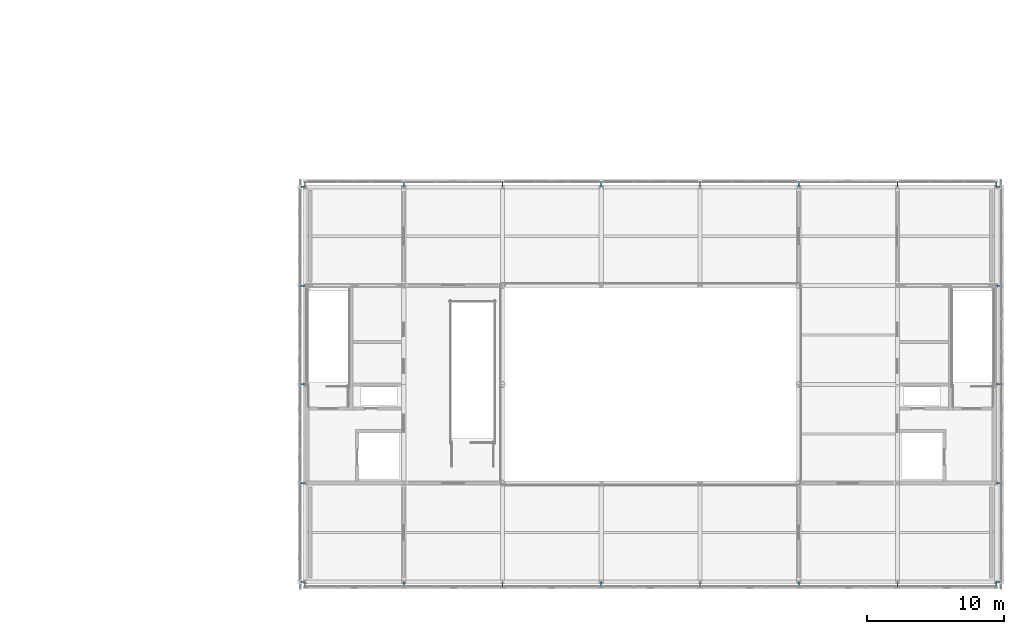
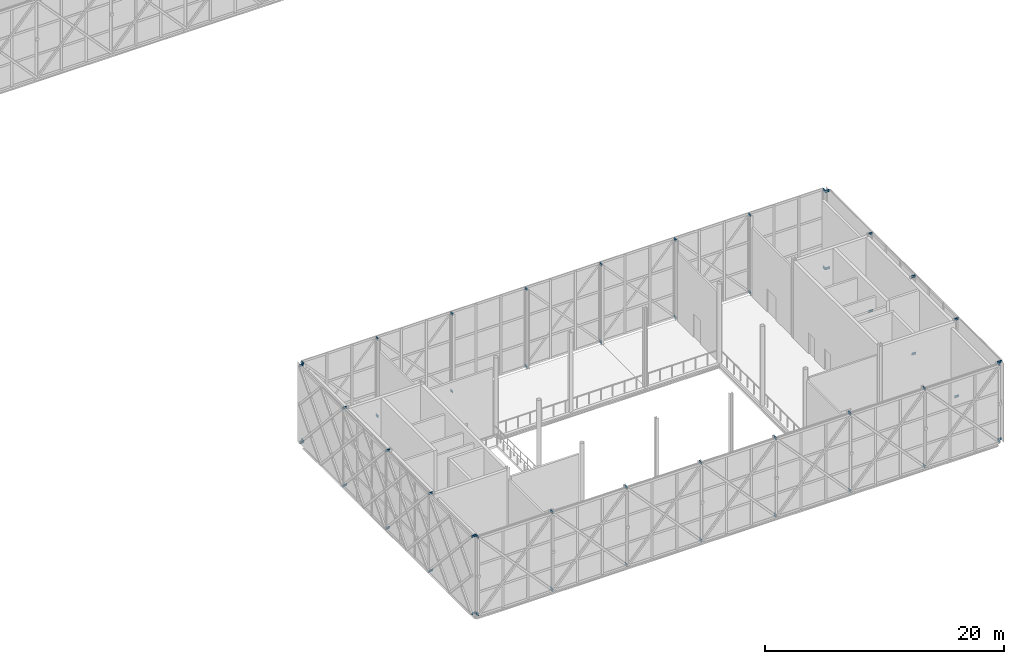
# One storey, part 50 of 76: 52 beams.
"""IFC4 building model written with IfcOpenShell, lengths in metres."""

from ifc_helpers import new_model, si_unit, direction, frame, origin, origin_2d, place, context, subcontext, project, spatial, i_section, extrude, material, material_profile, profile_set, type_object, element, save


model = new_model("IFC4")

# Units and contexts
model_context = context("Model", 3, precision=1e-05, world=origin(), true_north=direction((0.0, 1.0)))
body_context = subcontext(model_context, "Body", "Model", "MODEL_VIEW")
ifc_project = project(units=[si_unit("LENGTHUNIT", "METRE"), si_unit("AREAUNIT", "SQUARE_METRE"), si_unit("VOLUMEUNIT", "CUBIC_METRE"), si_unit("PLANEANGLEUNIT", "RADIAN"), si_unit("MASSUNIT", "GRAM", prefix="KILO")], contexts=[model_context])

# Site, building, storey
site_placement = place(None, origin())
site = spatial("IfcSite", under=ifc_project, at=site_placement, CompositionType="ELEMENT")
building_placement = place(site_placement, origin())
building = spatial("IfcBuilding", under=site, at=building_placement, Name="Zlatovets Crest Museum", CompositionType="ELEMENT")
storey_placement = place(building_placement, frame((0.0, 0.0, 17.10009765625)))
storey = spatial("IfcBuildingStorey", under=building, at=storey_placement, Name="L04", CompositionType="ELEMENT", Elevation=17.10009765625)

# Beams
ifc_material = material(Name="Structural steel S355J2", Category="steel")
ifc_material_profile = material_profile(ifc_material, i_section(OverallWidth=0.10009765625, OverallDepth=0.199951171875, WebThickness=0.005615234375, FlangeThickness=0.008544921875, FilletRadius=0.011962890625, at=origin_2d()), Name="IPE 200")
ifc_profile_set = profile_set([ifc_material_profile], Name="Structural steel S355J2")
beam_type = type_object("IfcBeamType", Name="Beam_PR-02", PredefinedType="LINTEL", material=ifc_profile_set)
for number, where, z_axis, x_axis, name in (
    (1, (57.60009765625, 0.0, 0.099853515625), (0.0, -1.0, 0.0), (1.0, 0.0, 0.0), "Lattice Structural Outrigger Tie"),
    (2, (57.60009765625, 0.0, 8.0), (0.0, -1.0, 0.0), (1.0, 0.0, 0.0), "Lattice Structural Outrigger Tie"),
    (3, (64.800048828125, 0.0, 0.099853515625), (0.0, -1.0, 0.0), (1.0, 0.0, 0.0), "Lattice Structural Outrigger Tie"),
    (4, (64.800048828125, 0.0, 8.0), (0.0, -1.0, 0.0), (1.0, 0.0, 0.0), "Lattice Structural Outrigger Tie"),
    (5, (72.0, 0.0, 0.099853515625), (0.0, -1.0, 0.0), (1.0, 0.0, 0.0), "Lattice Structural Outrigger Tie"),
    (6, (72.0, 0.0, 8.0), (0.0, -1.0, 0.0), (1.0, 0.0, 0.0), "Lattice Structural Outrigger Tie"),
    (7, (79.199951171875, 0.0, 0.099853515625), (0.0, -1.0, 0.0), (1.0, 0.0, 0.0), "Lattice Structural Outrigger Tie"),
    (8, (79.199951171875, 0.0, 8.0), (0.0, -1.0, 0.0), (1.0, 0.0, 0.0), "Lattice Structural Outrigger Tie"),
    (9, (86.39990234375, 0.0, 0.099853515625), (0.0, -1.0, 0.0), (1.0, 0.0, 0.0), "Lattice Structural Outrigger Tie"),
    (10, (86.39990234375, 0.0, 8.0), (0.0, -1.0, 0.0), (1.0, 0.0, 0.0), "Lattice Structural Outrigger Tie"),
    (11, (93.60009765625, 0.0, 0.099853515625), (0.0, -1.0, 0.0), (1.0, 0.0, 0.0), "Lattice Structural Outrigger Tie"),
    (12, (93.60009765625, 0.0, 8.0), (0.0, -1.0, 0.0), (1.0, 0.0, 0.0), "Lattice Structural Outrigger Tie"),
    (13, (100.800048828125, 0.0, 0.099853515625), (0.0, -1.0, 0.0), (1.0, 0.0, 0.0), "Lattice Structural Outrigger Tie"),
    (14, (100.800048828125, 0.0, 8.0), (0.0, -1.0, 0.0), (1.0, 0.0, 0.0), "Lattice Structural Outrigger Tie"),
    (15, (108.0, 0.0, 0.099853515625), (0.0, -1.0, 0.0), (1.0, 0.0, 0.0), "Lattice Structural Outrigger Tie"),
    (16, (108.0, 0.0, 8.0), (0.0, -1.0, 0.0), (1.0, 0.0, 0.0), "Lattice Structural Outrigger Tie"),
    (17, (108.0, 0.0, 0.099853515625), (1.0, 0.0, 0.0), (0.0, 1.0, 0.0), "Lattice Structural Outrigger Tie"),
    (18, (108.0, 0.0, 8.0), (1.0, 0.0, 0.0), (0.0, 1.0, 0.0), "Lattice Structural Outrigger Tie"),
    (19, (108.0, 7.199951171875, 0.099853515625), (1.0, 0.0, 0.0), (0.0, 1.0, 0.0), "Lattice Structural Outrigger Tie"),
    (20, (108.0, 7.199951171875, 8.0), (1.0, 0.0, 0.0), (0.0, 1.0, 0.0), "Lattice Structural Outrigger Tie"),
    (21, (108.0, 14.39990234375, 0.099853515625), (1.0, 0.0, 0.0), (0.0, 1.0, 0.0), "Lattice Structural Outrigger Tie"),
    (22, (108.0, 14.39990234375, 8.0), (1.0, 0.0, 0.0), (0.0, 1.0, 0.0), "Lattice Structural Outrigger Tie"),
    (23, (108.0, 21.60009765625, 0.099853515625), (1.0, 0.0, 0.0), (0.0, 1.0, 0.0), "Lattice Structural Outrigger Tie"),
    (24, (108.0, 21.60009765625, 8.0), (1.0, 0.0, 0.0), (0.0, 1.0, 0.0), "Lattice Structural Outrigger Tie"),
    (25, (108.0, 28.800048828125, 0.099853515625), (1.0, 0.0, 0.0), (0.0, 1.0, 0.0), "Lattice Structural Outrigger Tie"),
    (26, (108.0, 28.800048828125, 8.0), (1.0, 0.0, 0.0), (0.0, 1.0, 0.0), "Lattice Structural Outrigger Tie"),
    (27, (108.0, 28.800048828125, 0.099853515625), (0.0, 1.0, 0.0), (-1.0, 0.0, 0.0), "Lattice Structural Outrigger Tie"),
    (28, (108.0, 28.800048828125, 8.0), (0.0, 1.0, 0.0), (-1.0, 0.0, 0.0), "Lattice Structural Outrigger Tie"),
    (29, (100.800048828125, 28.800048828125, 0.099853515625), (0.0, 1.0, 0.0), (-1.0, 0.0, 0.0), "Lattice Structural Outrigger Tie"),
    (30, (100.800048828125, 28.800048828125, 8.0), (0.0, 1.0, 0.0), (-1.0, 0.0, 0.0), "Lattice Structural Outrigger Tie"),
    (31, (93.60009765625, 28.800048828125, 0.099853515625), (0.0, 1.0, 0.0), (-1.0, 0.0, 0.0), "Lattice Structural Outrigger Tie"),
    (32, (93.60009765625, 28.800048828125, 8.0), (0.0, 1.0, 0.0), (-1.0, 0.0, 0.0), "Lattice Structural Outrigger Tie"),
    (33, (86.39990234375, 28.800048828125, 0.099853515625), (0.0, 1.0, 0.0), (-1.0, 0.0, 0.0), "Lattice Structural Outrigger Tie"),
    (34, (86.39990234375, 28.800048828125, 8.0), (0.0, 1.0, 0.0), (-1.0, 0.0, 0.0), "Lattice Structural Outrigger Tie"),
    (35, (79.199951171875, 28.800048828125, 0.099853515625), (0.0, 1.0, 0.0), (-1.0, 0.0, 0.0), "Lattice Structural Outrigger Tie"),
    (36, (79.199951171875, 28.800048828125, 8.0), (0.0, 1.0, 0.0), (-1.0, 0.0, 0.0), "Lattice Structural Outrigger Tie"),
    (37, (72.0, 28.800048828125, 0.099853515625), (0.0, 1.0, 0.0), (-1.0, 0.0, 0.0), "Lattice Structural Outrigger Tie"),
    (38, (72.0, 28.800048828125, 8.0), (0.0, 1.0, 0.0), (-1.0, 0.0, 0.0), "Lattice Structural Outrigger Tie"),
    (39, (64.800048828125, 28.800048828125, 0.099853515625), (0.0, 1.0, 0.0), (-1.0, 0.0, 0.0), "Lattice Structural Outrigger Tie"),
    (40, (64.800048828125, 28.800048828125, 8.0), (0.0, 1.0, 0.0), (-1.0, 0.0, 0.0), "Lattice Structural Outrigger Tie"),
    (41, (57.60009765625, 28.800048828125, 0.099853515625), (0.0, 1.0, 0.0), (-1.0, 0.0, 0.0), "Lattice Structural Outrigger Tie"),
    (42, (57.60009765625, 28.800048828125, 8.0), (0.0, 1.0, 0.0), (-1.0, 0.0, 0.0), "Lattice Structural Outrigger Tie"),
):
    element("IfcBeam", number, at=place(storey_placement, frame(where, z_axis=z_axis, x_axis=x_axis)), inside=storey, type_object=beam_type, Name=name, PredefinedType="LINTEL", context=body_context, shape_type="SweptSolid", body=[
        extrude(i_section(OverallWidth=0.10009765625, OverallDepth=0.199951171875, WebThickness=0.005615234375, FlangeThickness=0.008544921875, FilletRadius=0.011962890625, at=origin_2d()), origin(), (0.0, 0.0, 1.0), 0.419921875),
    ])
for number, where, z_axis, x_axis, name in (
    (43, (57.60009765625, 28.800048828125, 0.099853515625), (-1.0, 0.0, 0.0), (0.0, -1.0, 0.0), "Lattice Structural Outrigger Tie"),
    (44, (57.60009765625, 28.800048828125, 8.0), (-1.0, 0.0, 0.0), (0.0, -1.0, 0.0), "Lattice Structural Outrigger Tie"),
    (45, (57.60009765625, 21.60009765625, 0.099853515625), (-1.0, 0.0, 0.0), (0.0, -1.0, 0.0), "Lattice Structural Outrigger Tie"),
    (46, (57.60009765625, 21.60009765625, 8.0), (-1.0, 0.0, 0.0), (0.0, -1.0, 0.0), "Lattice Structural Outrigger Tie"),
    (47, (57.60009765625, 14.39990234375, 0.099853515625), (-1.0, 0.0, 0.0), (0.0, -1.0, 0.0), "Lattice Structural Outrigger Tie"),
    (48, (57.60009765625, 14.39990234375, 8.0), (-1.0, 0.0, 0.0), (0.0, -1.0, 0.0), "Lattice Structural Outrigger Tie"),
    (49, (57.60009765625, 7.199951171875, 0.099853515625), (-1.0, 0.0, 0.0), (0.0, -1.0, 0.0), "Lattice Structural Outrigger Tie"),
    (50, (57.60009765625, 7.199951171875, 8.0), (-1.0, 0.0, 0.0), (0.0, -1.0, 0.0), "Lattice Structural Outrigger Tie"),
    (51, (57.60009765625, 0.0, 0.099853515625), (-1.0, 0.0, 0.0), (0.0, -1.0, 0.0), "Lattice Structural Outrigger Tie"),
    (52, (57.60009765625, 0.0, 8.0), (-1.0, 0.0, 0.0), (0.0, -1.0, 0.0), "Lattice Structural Outrigger Tie"),
):
    element("IfcBeam", number, at=place(storey_placement, frame(where, z_axis=z_axis, x_axis=x_axis)), inside=storey, type_object=beam_type, Name=name, PredefinedType="LINTEL", context=body_context, shape_type="SweptSolid", body=[
        extrude(i_section(OverallWidth=0.10009765625, OverallDepth=0.199951171875, WebThickness=0.005615234375, FlangeThickness=0.008544921875, FilletRadius=0.011962890625, at=origin_2d()), origin(), (0.0, 0.0, 1.0), 0.420166015625),
    ])

save(model, "model.ifc")
